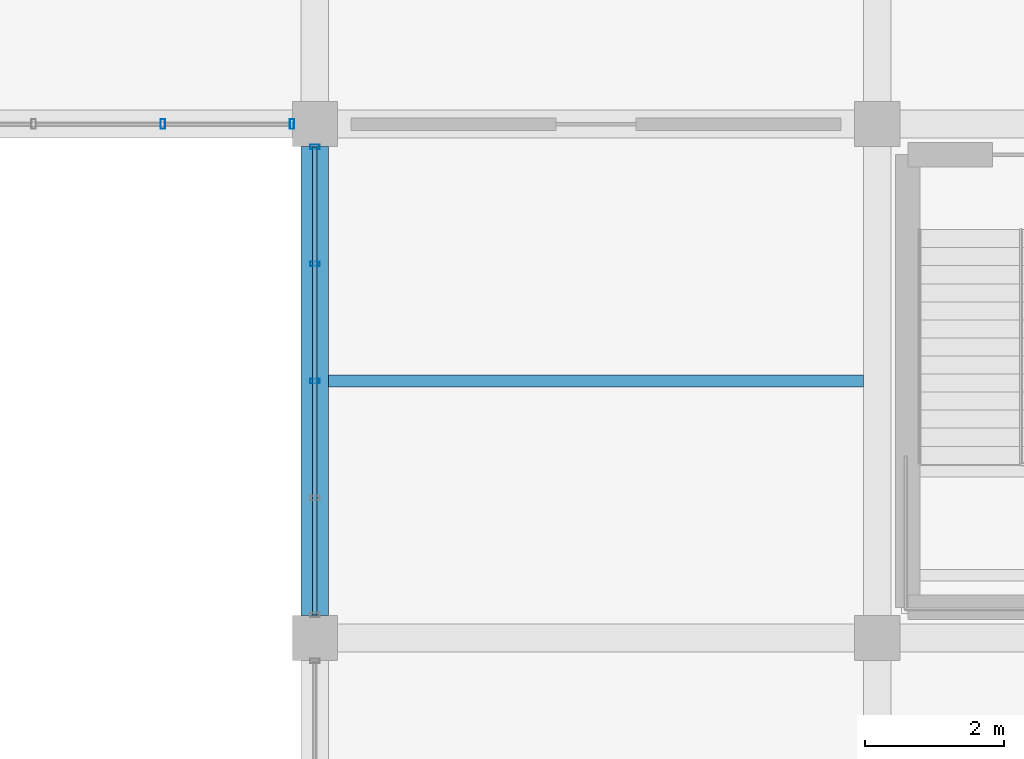
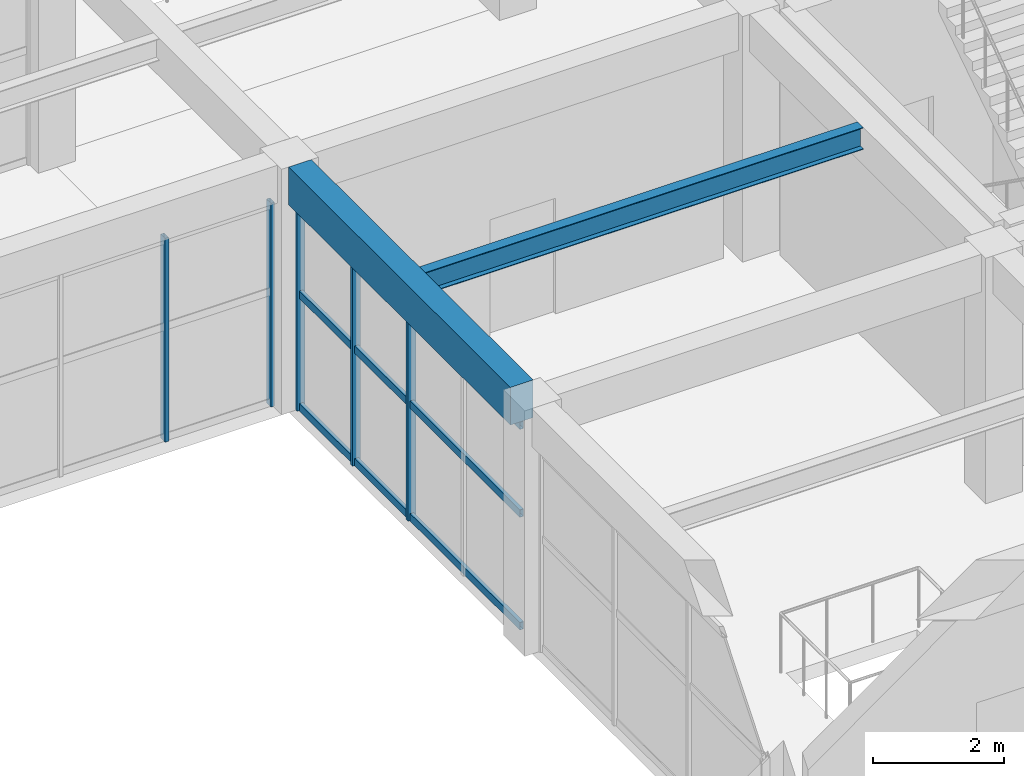
# One storey, part 118 of 161: 8 members, 2 beams, 2 elements without a shape of their own.
"""IFC4 building model written with IfcOpenShell, lengths in metres."""

from ifc_helpers import new_model, si_unit, direction, frame, origin, origin_2d, place, context, subcontext, project, spatial, rectangle, hollow_rectangle, i_section, extrude, material, material_profile, profile_set, type_object, element, aggregate, save


model = new_model("IFC4")

# Units and contexts
model_context = context("Model", 3, precision=1e-05, world=origin(), true_north=direction((0.0, 1.0)))
body_context = subcontext(model_context, "Body", "Model", "MODEL_VIEW")
ifc_project = project(units=[si_unit("LENGTHUNIT", "METRE"), si_unit("AREAUNIT", "SQUARE_METRE"), si_unit("VOLUMEUNIT", "CUBIC_METRE"), si_unit("PLANEANGLEUNIT", "RADIAN"), si_unit("MASSUNIT", "GRAM", prefix="KILO")], contexts=[model_context])

# Site, building, storey
site_placement = place(None, origin())
site = spatial("IfcSite", under=ifc_project, at=site_placement, CompositionType="ELEMENT")
building_placement = place(site_placement, origin())
building = spatial("IfcBuilding", under=site, at=building_placement, Name="Cimatlan Art Gallery", CompositionType="ELEMENT")
storey_placement = place(building_placement, frame((0.0, 0.0, 5.39990234375)))
storey = spatial("IfcBuildingStorey", under=building, at=storey_placement, Name="L01", CompositionType="ELEMENT", Elevation=5.39990234375)

# Beams
ifc_material_1 = material(Name="Concrete C40/50", Category="concrete")
ifc_material_profile_1 = material_profile(ifc_material_1, rectangle(XDim=0.39990234375, YDim=0.699951171875, at=origin_2d()), Name="RC400X700")
ifc_profile_set_1 = profile_set([ifc_material_profile_1], Name="Concrete C40/50")
beam_type_1 = type_object("IfcBeamType", Name="BM-RC-400X700", PredefinedType="BEAM", material=ifc_profile_set_1)
beam_1_placement = place(storey_placement, frame((147.800048828125, 46.425048828125, 4.210205078125), z_axis=(0.0, 1.0, 0.0), x_axis=(-1.0, 0.0, 0.0)))
element("IfcBeam", 1, at=beam_1_placement, inside=storey, type_object=beam_type_1, Name="BM-Y-L01-18-06", PredefinedType="BEAM", context=body_context, shape_type="SweptSolid", body=[
    extrude(rectangle(XDim=0.39990234375, YDim=0.699951171875, at=origin_2d()), origin(), (0.0, 0.0, 1.0), 6.75),
])
ifc_material_2 = material(Name="Steel ASTM A992 Grade 50", Category="steel")
ifc_material_profile_2 = material_profile(ifc_material_2, i_section(OverallWidth=0.177978515625, OverallDepth=0.406982421875, WebThickness=0.0078125, FlangeThickness=0.0126953125, at=origin_2d()), Name="W16X40")
ifc_profile_set_2 = profile_set([ifc_material_profile_2], Name="Steel ASTM A992 Grade 50")
beam_type_2 = type_object("IfcBeamType", Name="BM-STL-W16X40", PredefinedType="JOIST", material=ifc_profile_set_2)
beam_2_placement = place(storey_placement, frame((148.0, 49.800048828125, 4.356689453125), z_axis=(1.0, 0.0, 0.0), x_axis=(0.0, 1.0, 0.0)))
element("IfcBeam", 2, at=beam_2_placement, inside=storey, type_object=beam_type_2, Name="JST-L01-18-06", PredefinedType="JOIST", context=body_context, shape_type="SweptSolid", body=[
    extrude(i_section(OverallWidth=0.177978515625, OverallDepth=0.406982421875, WebThickness=0.0078125, FlangeThickness=0.0126953125, at=origin_2d()), origin(), (0.0, 0.0, 1.0), 7.699951171875),
])

# Curtain wall, members
ifc_material_3 = material(Name="Anodised bronze unitised curtain wall")
curtain_wall_type_1 = type_object("IfcCurtainWallType", Name="CW-V-07442X03785-B4", PredefinedType="NOTDEFINED", material=ifc_material_3)
curtain_wall_1_placement = place(storey_placement, origin())
curtain_wall_1 = element("IfcCurtainWall", 3, at=curtain_wall_1_placement, inside=storey, type_object=curtain_wall_type_1, Name="CW-L01-17-07-S", PredefinedType="NOTDEFINED")
ifc_material_4 = material(Name="Anodised bronze aluminium 6063-T6", Category="aluminium")
ifc_material_profile_3 = material_profile(ifc_material_4, hollow_rectangle(XDim=0.06494140625, YDim=0.139892578125, WallThickness=0.00390625, at=origin_2d()), Name="ALU65X140X4")
ifc_profile_set_3 = profile_set([ifc_material_profile_3], Name="Anodised bronze aluminium 6063-T6")
member_type_1 = type_object("IfcMemberType", Name="CW-MUL-140", PredefinedType="MULLION", material=ifc_profile_set_3)
member_1_placement = place(storey_placement, frame((147.470947265625, 53.5, 0.0), z_axis=(0.0, 0.0, 1.0), x_axis=(1.0, 0.0, 0.0)))
member_1 = element("IfcMember", 4, at=member_1_placement, type_object=member_type_1, Name="CW-L01-17-07-S-M1", PredefinedType="MULLION", context=body_context, shape_type="SweptSolid", body=[
    extrude(hollow_rectangle(XDim=0.06494140625, YDim=0.139892578125, WallThickness=0.00390625, at=origin_2d()), origin(), (0.0, 0.0, 1.0), 3.78515625),
])
member_2_placement = place(storey_placement, frame((145.610595703125, 53.5, 0.0), z_axis=(0.0, 0.0, 1.0), x_axis=(1.0, 0.0, 0.0)))
member_2 = element("IfcMember", 5, at=member_2_placement, type_object=member_type_1, Name="CW-L01-17-07-S-M2", PredefinedType="MULLION", context=body_context, shape_type="SweptSolid", body=[
    extrude(hollow_rectangle(XDim=0.06494140625, YDim=0.139892578125, WallThickness=0.00390625, at=origin_2d()), origin(), (0.0, 0.0, 1.0), 3.78515625),
])
aggregate(curtain_wall_1, [member_1, member_2])

curtain_wall_type_2 = type_object("IfcCurtainWallType", Name="CW-V-06742X03845-B4", PredefinedType="NOTDEFINED", material=ifc_material_3)
curtain_wall_2_placement = place(storey_placement, origin())
curtain_wall_2 = element("IfcCurtainWall", 6, at=curtain_wall_2_placement, inside=storey, type_object=curtain_wall_type_2, Name="CW-L01-18-06-W", PredefinedType="NOTDEFINED")
member_3_placement = place(storey_placement, frame((147.800048828125, 49.800048828125, 0.0), z_axis=(0.0, 0.0, 1.0), x_axis=(0.0, 1.0, 0.0)))
member_3 = element("IfcMember", 7, at=member_3_placement, type_object=member_type_1, Name="CW-L01-18-06-W-M3", PredefinedType="MULLION", context=body_context, shape_type="SweptSolid", body=[
    extrude(hollow_rectangle(XDim=0.06494140625, YDim=0.139892578125, WallThickness=0.00390625, at=origin_2d()), origin(), (0.0, 0.0, 1.0), 3.84521484375),
])
member_4_placement = place(storey_placement, frame((147.800048828125, 51.485595703125, 0.0), z_axis=(0.0, 0.0, 1.0), x_axis=(0.0, 1.0, 0.0)))
member_4 = element("IfcMember", 8, at=member_4_placement, type_object=member_type_1, Name="CW-L01-18-06-W-M4", PredefinedType="MULLION", context=body_context, shape_type="SweptSolid", body=[
    extrude(hollow_rectangle(XDim=0.06494140625, YDim=0.139892578125, WallThickness=0.00390625, at=origin_2d()), origin(), (0.0, 0.0, 1.0), 3.84521484375),
])
member_5_placement = place(storey_placement, frame((147.800048828125, 53.1708984375, 0.0), z_axis=(0.0, 0.0, 1.0), x_axis=(0.0, 1.0, 0.0)))
member_5 = element("IfcMember", 9, at=member_5_placement, type_object=member_type_1, Name="CW-L01-18-06-W-M5", PredefinedType="MULLION", context=body_context, shape_type="SweptSolid", body=[
    extrude(hollow_rectangle(XDim=0.06494140625, YDim=0.139892578125, WallThickness=0.00390625, at=origin_2d()), origin(), (0.0, 0.0, 1.0), 3.84521484375),
])
ifc_material_profile_4 = material_profile(ifc_material_4, hollow_rectangle(XDim=0.06494140625, YDim=0.139892578125, WallThickness=0.00390625, at=origin_2d()), Name="ALU65X140X4")
ifc_profile_set_4 = profile_set([ifc_material_profile_4], Name="Anodised bronze aluminium 6063-T6")
member_type_2 = type_object("IfcMemberType", Name="CW-TRN-140", PredefinedType="USERDEFINED", material=ifc_profile_set_4)
member_6_placement = place(storey_placement, frame((147.800048828125, 46.428955078125, 0.06005859375), z_axis=(0.0, 1.0, 0.0), x_axis=(-1.0, 0.0, 0.0)))
member_6 = element("IfcMember", 10, at=member_6_placement, type_object=member_type_2, Name="CW-L01-18-06-W-T1", ObjectType="TRANSOM", PredefinedType="USERDEFINED", context=body_context, shape_type="SweptSolid", body=[
    extrude(hollow_rectangle(XDim=0.06494140625, YDim=0.139892578125, WallThickness=0.00390625, at=origin_2d()), origin(), (0.0, 0.0, 1.0), 6.741943359375),
])
member_7_placement = place(storey_placement, frame((147.800048828125, 46.428955078125, 2.1533203125), z_axis=(0.0, 1.0, 0.0), x_axis=(-1.0, 0.0, 0.0)))
member_7 = element("IfcMember", 11, at=member_7_placement, type_object=member_type_2, Name="CW-L01-18-06-W-T2", ObjectType="TRANSOM", PredefinedType="USERDEFINED", context=body_context, shape_type="SweptSolid", body=[
    extrude(hollow_rectangle(XDim=0.06494140625, YDim=0.139892578125, WallThickness=0.00390625, at=origin_2d()), origin(), (0.0, 0.0, 1.0), 6.741943359375),
])
member_8_placement = place(storey_placement, frame((147.800048828125, 46.428955078125, 3.78515625), z_axis=(0.0, 1.0, 0.0), x_axis=(-1.0, 0.0, 0.0)))
member_8 = element("IfcMember", 12, at=member_8_placement, type_object=member_type_2, Name="CW-L01-18-06-W-T3", ObjectType="TRANSOM", PredefinedType="USERDEFINED", context=body_context, shape_type="SweptSolid", body=[
    extrude(hollow_rectangle(XDim=0.06494140625, YDim=0.139892578125, WallThickness=0.00390625, at=origin_2d()), origin(), (0.0, 0.0, 1.0), 6.741943359375),
])
aggregate(curtain_wall_2, [member_3, member_4, member_5, member_6, member_7, member_8])

save(model, "model.ifc")
